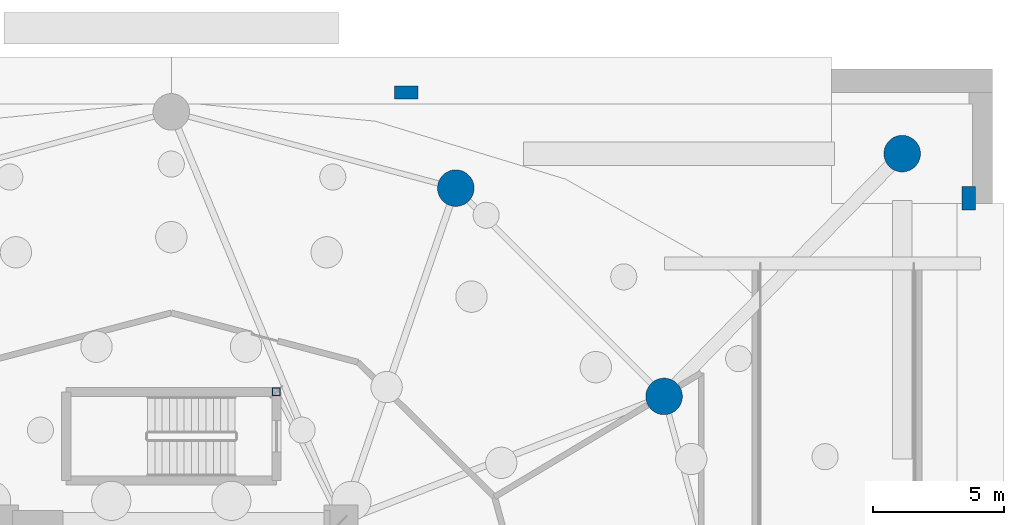
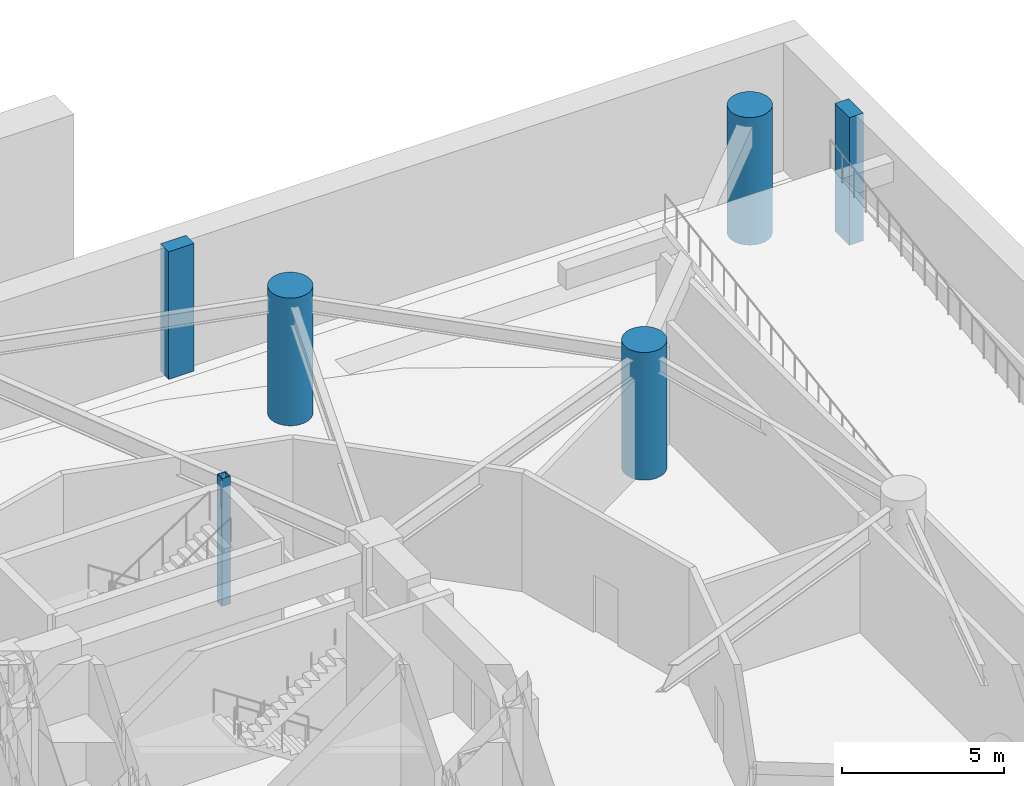
# One storey, part 4 of 12: 6 columns.
"""IFC4 building model written with IfcOpenShell, lengths in metres."""

from ifc_helpers import new_model, si_unit, direction, frame, origin, origin_2d, place, context, subcontext, project, spatial, rectangle, hollow_rectangle, circle, extrude, material, material_profile, profile_set, type_object, element, save


model = new_model("IFC4")

# Units and contexts
model_context = context("Model", 3, precision=1e-05, world=origin(), true_north=direction((0.0, 1.0)))
body_context = subcontext(model_context, "Body", "Model", "MODEL_VIEW")
ifc_project = project(units=[si_unit("LENGTHUNIT", "METRE"), si_unit("AREAUNIT", "SQUARE_METRE"), si_unit("VOLUMEUNIT", "CUBIC_METRE"), si_unit("PLANEANGLEUNIT", "RADIAN"), si_unit("MASSUNIT", "GRAM", prefix="KILO")], contexts=[model_context])

# Site, building, storey
site_placement = place(None, origin())
site = spatial("IfcSite", under=ifc_project, at=site_placement, CompositionType="ELEMENT")
building_placement = place(site_placement, origin())
building = spatial("IfcBuilding", under=site, at=building_placement, Name="Solvirekh Grand Hotel", CompositionType="ELEMENT")
storey_placement = place(building_placement, frame((0.0, 0.0, -9.60009765625)))
storey = spatial("IfcBuildingStorey", under=building, at=storey_placement, Name="B02", CompositionType="ELEMENT", Elevation=-9.60009765625)

# Columns
ifc_material_1 = material(Name="Concrete C60/75", Category="concrete")
ifc_material_profile_1 = material_profile(ifc_material_1, circle(Radius=0.699951171875, at=origin_2d()), Name="RC CIRC D1400")
ifc_profile_set_1 = profile_set([ifc_material_profile_1], Name="Concrete C60/75")
column_type_1 = type_object("IfcColumnType", Name="Col_Base_D1400", PredefinedType="COLUMN", material=ifc_profile_set_1)
for number, where, z_axis, x_axis, name in (
    (1, (18.87890625, 10.89990234375, 0.0), (0.0, 0.0, 1.0), (1.0, 0.0, 0.0), "B02 perimeter column P02"),
    (2, (10.89990234375, 18.87890625, 0.0), (0.0, 0.0, 1.0), (1.0, 0.0, 0.0), "B02 perimeter column P03"),
    (3, (28.0, 20.199951171875, 0.0), (0.0, 0.0, 1.0), (1.0, 0.0, 0.0), "B02 basement corner column BC-NE"),
):
    element("IfcColumn", number, at=place(storey_placement, frame(where, z_axis=z_axis, x_axis=x_axis)), inside=storey, type_object=column_type_1, Name=name, PredefinedType="COLUMN", context=body_context, shape_type="SweptSolid", body=[
        extrude(circle(Radius=0.699951171875, at=origin_2d()), origin(), (0.0, 0.0, 1.0), 4.800048828125),
    ])
ifc_material_2 = material(Name="Steel S355", Category="steel")
ifc_material_profile_2 = material_profile(ifc_material_2, hollow_rectangle(XDim=0.300048828125, YDim=0.300048828125, WallThickness=0.01611328125, at=origin_2d()), Name="SHS 300X300X16")
ifc_profile_set_2 = profile_set([ifc_material_profile_2], Name="Steel S355")
column_type_2 = type_object("IfcColumnType", Name="Col_Pod_SHS300", PredefinedType="COLUMN", material=ifc_profile_set_2)
column_placement = place(storey_placement, frame((4.02490234375, 11.074951171875, 0.0), z_axis=(0.0, 0.0, 1.0), x_axis=(1.0, 0.0, 0.0)))
element("IfcColumn", 4, at=column_placement, inside=storey, type_object=column_type_2, Name="B02 podium stair enclosure post 2", PredefinedType="COLUMN", context=body_context, shape_type="SweptSolid", body=[
    extrude(hollow_rectangle(XDim=0.300048828125, YDim=0.300048828125, WallThickness=0.01611328125, at=origin_2d()), origin(), (0.0, 0.0, 1.0), 4.800048828125),
])
ifc_material_3 = material(Name="Concrete C50/60", Category="concrete")
ifc_material_profile_3 = material_profile(ifc_material_3, rectangle(XDim=0.5, YDim=0.89990234375, at=origin_2d()), Name="RC PILASTER 900X500")
ifc_profile_set_3 = profile_set([ifc_material_profile_3], Name="Concrete C50/60")
column_type_3 = type_object("IfcColumnType", Name="Pilaster_900X500", PredefinedType="PILASTER", material=ifc_profile_set_3)
for number, where, z_axis, x_axis, name in (
    (5, (30.550048828125, 18.5, 0.0), (0.0, 0.0, 1.0), (1.0, 0.0, 0.0), "B02 retaining wall pilaster 5"),
    (6, (9.0, 22.550048828125, 0.0), (0.0, 0.0, 1.0), (0.0, 1.0, 0.0), "B02 retaining wall pilaster 7"),
):
    element("IfcColumn", number, at=place(storey_placement, frame(where, z_axis=z_axis, x_axis=x_axis)), inside=storey, type_object=column_type_3, Name=name, PredefinedType="PILASTER", context=body_context, shape_type="SweptSolid", body=[
        extrude(rectangle(XDim=0.5, YDim=0.89990234375, at=origin_2d()), origin(), (0.0, 0.0, 1.0), 4.800048828125),
    ])

save(model, "model.ifc")
